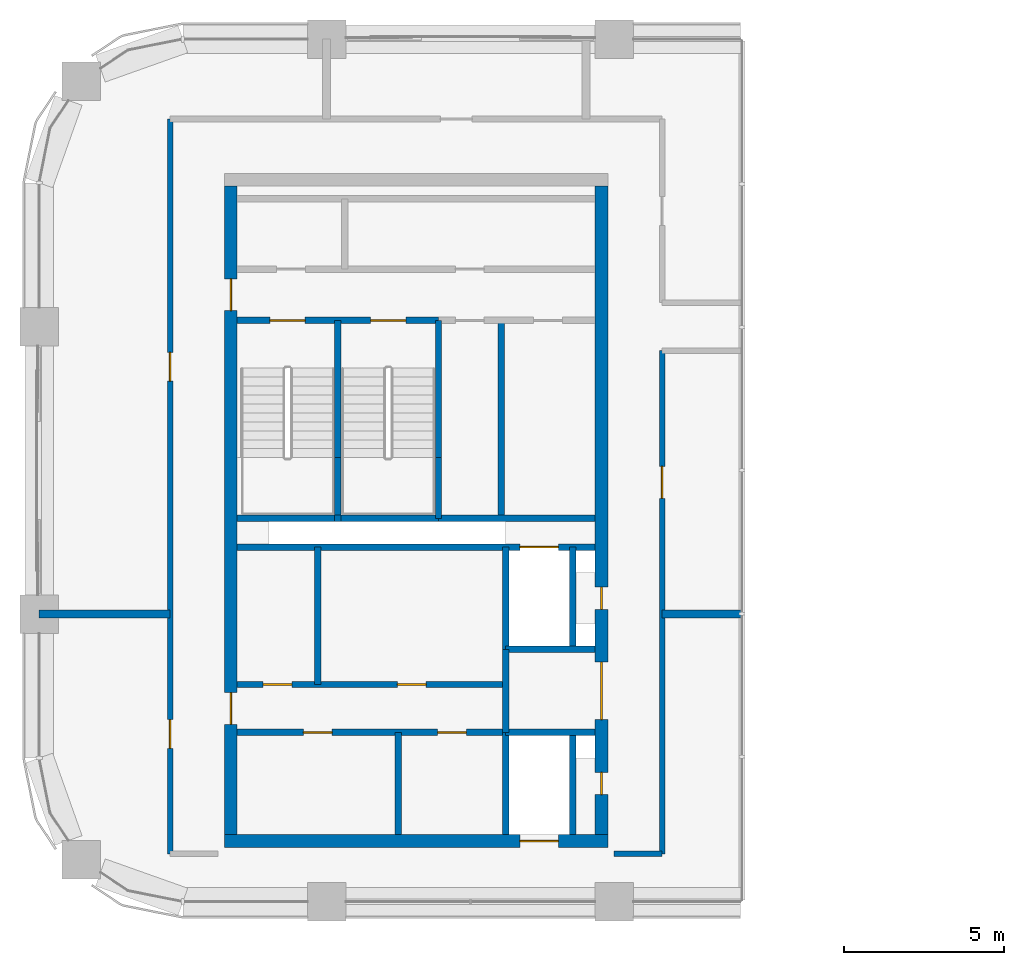
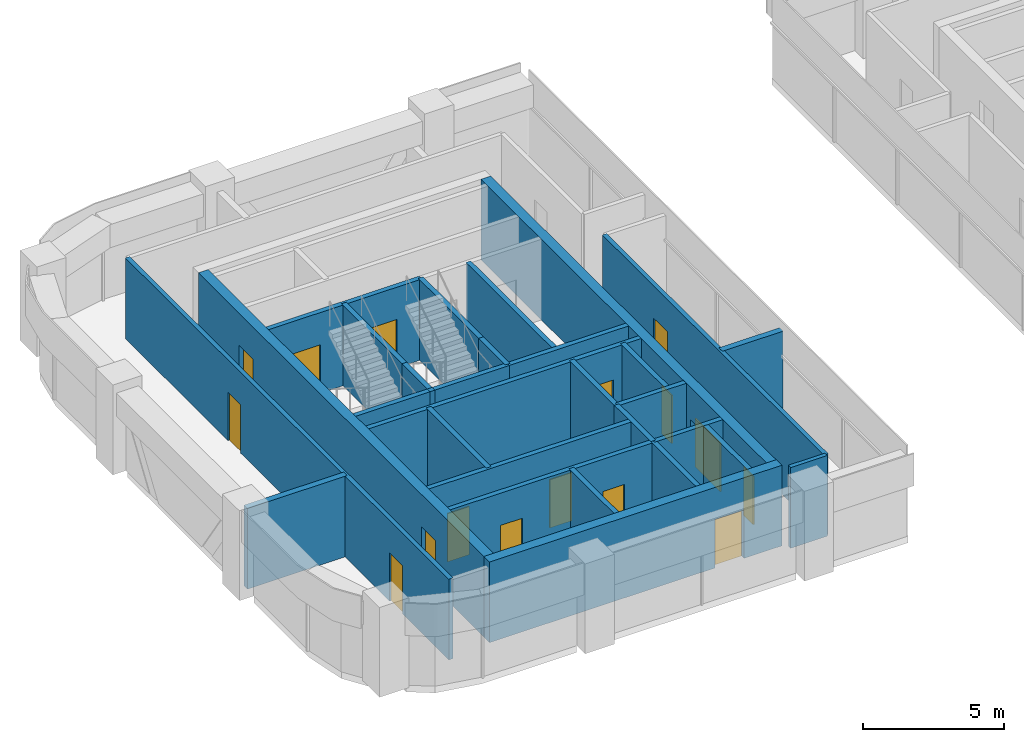
# One storey, part 6 of 11: 30 walls, 16 doors, 16 openings.
"""IFC4 building model written with IfcOpenShell, lengths in metres."""

from ifc_helpers import new_model, si_unit, direction, frame, frame_2d, origin, place, context, subcontext, project, spatial, rectangle, extrude, material, layer, layer_set, type_object, element, fill, save


model = new_model("IFC4")

# Units and contexts
model_context = context("Model", 3, precision=1e-05, world=origin(), true_north=direction((0.0, 1.0)))
body_context = subcontext(model_context, "Body", "Model", "MODEL_VIEW")
ifc_project = project(units=[si_unit("LENGTHUNIT", "METRE"), si_unit("AREAUNIT", "SQUARE_METRE"), si_unit("VOLUMEUNIT", "CUBIC_METRE"), si_unit("PLANEANGLEUNIT", "RADIAN"), si_unit("MASSUNIT", "GRAM", prefix="KILO")], contexts=[model_context])

# Site, building, storey
site_placement = place(None, origin())
site = spatial("IfcSite", under=ifc_project, at=site_placement, CompositionType="ELEMENT")
building_placement = place(site_placement, origin())
building = spatial("IfcBuilding", under=site, at=building_placement, Name="Tessera Arch", CompositionType="ELEMENT")
storey_placement = place(building_placement, frame((0.0, 0.0, 222.800048828125)))
storey = spatial("IfcBuildingStorey", under=building, at=storey_placement, Name="L53", CompositionType="ELEMENT", Elevation=222.800048828125)

# Walls
ifc_material_1 = material(Name="Gypsum board on steel stud", Category="steel")
ifc_layer_1 = layer(ifc_material_1, 0.125)
ifc_layer_set_1 = layer_set([ifc_layer_1], Name="Core partition 125 EI 60")
wall_type_1 = type_object("IfcWallType", Name="Core partition 125 EI 60", PredefinedType="PARTITIONING", material=ifc_layer_set_1)
wall_1_placement = place(storey_placement, frame((8.719970703125, 33.800048828125, 0.0), z_axis=(0.0, 0.0, 1.0), x_axis=(0.0, 1.0, 0.0)))
element("IfcWall", 1, at=wall_1_placement, inside=storey, type_object=wall_type_1, Name="L53 C2 partition wall 1", PredefinedType="PARTITIONING", context=body_context, shape_type="SweptSolid", body=[
    extrude(rectangle(XDim=4.300048828125, YDim=0.199951171875, at=frame_2d((2.14990234375, 0.0))), origin(), (0.0, 0.0, 1.0), 3.5),
])
wall_2_placement = place(storey_placement, frame((11.239990234375, 29.10009765625, 0.0), z_axis=(0.0, 0.0, 1.0), x_axis=(0.0, 1.0, 0.0)))
element("IfcWall", 2, at=wall_2_placement, inside=storey, type_object=wall_type_1, Name="L53 C2 partition wall 5", PredefinedType="PARTITIONING", context=body_context, shape_type="SweptSolid", body=[
    extrude(rectangle(XDim=3.199951171875, YDim=0.199951171875, at=frame_2d((1.60009765625, 0.0))), origin(), (0.0, 0.0, 1.0), 3.5),
])
wall_3_placement = place(storey_placement, frame((14.4599609375, 39.0, 0.0), z_axis=(0.0, 0.0, 1.0), x_axis=(0.0, 1.0, 0.0)))
element("IfcWall", 3, at=wall_3_placement, inside=storey, type_object=wall_type_1, Name="L53 C2 partition wall 8", PredefinedType="PARTITIONING", context=body_context, shape_type="SweptSolid", body=[
    extrude(rectangle(XDim=6.199951171875, YDim=0.199951171875, at=frame_2d((3.10009765625, 0.0))), origin(), (0.0, 0.0, 1.0), 3.5),
])
wall_4_placement = place(storey_placement, frame((14.60009765625, 32.300048828125, 0.0), z_axis=(0.0, 0.0, 1.0), x_axis=(0.0, 1.0, 0.0)))
element("IfcWall", 4, at=wall_4_placement, inside=storey, type_object=wall_type_1, Name="L53 C2 partition wall 9", PredefinedType="PARTITIONING", context=body_context, shape_type="SweptSolid", body=[
    extrude(rectangle(XDim=2.599853515625, YDim=0.199951171875, at=frame_2d((1.2998046875, 0.0))), origin(), (0.0, 0.0, 1.0), 3.5),
])

# Wall, openings, doors
wall_5_placement = place(storey_placement, frame((6.199951171875, 32.300048828125, 0.0), z_axis=(0.0, 0.0, 1.0), x_axis=(1.0, 0.0, 0.0)))
wall_5 = element("IfcWall", 5, at=wall_5_placement, inside=storey, type_object=wall_type_1, Name="L53 C2 partition wall 14", PredefinedType="PARTITIONING", context=body_context, shape_type="SweptSolid", body=[
    extrude(rectangle(XDim=8.400146484375, YDim=0.199951171875, at=frame_2d((4.2001953125, 0.0))), origin(), (0.0, 0.0, 1.0), 3.5),
])
opening_1_placement = place(wall_5_placement, frame((2.070068359375, 0.0, 0.0)))
opening_1 = element("IfcOpeningElement", 6, at=opening_1_placement, cuts=wall_5, Name="Opening L53-C33", PredefinedType="OPENING", context=body_context, shape_type="SweptSolid", body=[
    extrude(rectangle(XDim=0.89990234375, YDim=2.10009765625, at=frame_2d((0.449951171875, 1.050048828125))), frame((0.0, 0.10986328125, 0.0), z_axis=(0.0, -1.0, 0.0), x_axis=(1.0, 0.0, 0.0)), (0.0, 0.0, 1.0), 0.219970703125),
])
opening_2_placement = place(wall_5_placement, frame((6.27001953125, 0.0, 0.0)))
opening_2 = element("IfcOpeningElement", 7, at=opening_2_placement, cuts=wall_5, Name="Opening L53-C34", PredefinedType="OPENING", context=body_context, shape_type="SweptSolid", body=[
    extrude(rectangle(XDim=0.89990234375, YDim=2.10009765625, at=frame_2d((0.449951171875, 1.050048828125))), frame((0.0, 0.10986328125, 0.0), z_axis=(0.0, -1.0, 0.0), x_axis=(1.0, 0.0, 0.0)), (0.0, 0.0, 1.0), 0.219970703125),
])
ifc_material_2 = material(Name="Steel door leaf", Category="steel")
door_type_1 = type_object("IfcDoorType", Name="Store door FD30S 900 x 2100", OperationType="SINGLE_SWING_LEFT", PredefinedType="DOOR", material=ifc_material_2)
door_1_placement = place(opening_1_placement, origin())
door_1 = element("IfcDoor", 8, at=door_1_placement, inside=storey, type_object=door_type_1, Name="L53 C2 door 14 C33 type D09", OperationType="SINGLE_SWING_LEFT", OverallHeight=2.10009765625, OverallWidth=0.89990234375, PredefinedType="DOOR", context=body_context, shape_type="SweptSolid", body=[
    extrude(rectangle(XDim=0.89990234375, YDim=2.10009765625, at=frame_2d((0.449951171875, 1.050048828125))), frame((0.0, 0.02490234375, 0.0), z_axis=(0.0, -1.0, 0.0), x_axis=(1.0, 0.0, 0.0)), (0.0, 0.0, 1.0), 0.050048828125),
])
fill(opening_1, door_1)
door_2_placement = place(opening_2_placement, origin())
door_2 = element("IfcDoor", 9, at=door_2_placement, inside=storey, type_object=door_type_1, Name="L53 C2 door 15 C34 type D09", OperationType="SINGLE_SWING_RIGHT", OverallHeight=2.10009765625, OverallWidth=0.89990234375, PredefinedType="DOOR", context=body_context, shape_type="SweptSolid", body=[
    extrude(rectangle(XDim=0.89990234375, YDim=2.10009765625, at=frame_2d((0.449951171875, 1.050048828125))), frame((0.0, 0.02490234375, 0.0), z_axis=(0.0, -1.0, 0.0), x_axis=(1.0, 0.0, 0.0)), (0.0, 0.0, 1.0), 0.050048828125),
])
fill(opening_2, door_2)

wall_6_placement = place(storey_placement, frame((6.199951171875, 33.800048828125, 0.0), z_axis=(0.0, 0.0, 1.0), x_axis=(1.0, 0.0, 0.0)))
wall_6 = element("IfcWall", 10, at=wall_6_placement, inside=storey, type_object=wall_type_1, Name="L53 C2 partition wall 16", PredefinedType="PARTITIONING", context=body_context, shape_type="SweptSolid", body=[
    extrude(rectangle(XDim=8.400146484375, YDim=0.199951171875, at=frame_2d((4.2001953125, 0.0))), origin(), (0.0, 0.0, 1.0), 3.5),
])
opening_3_placement = place(wall_6_placement, frame((0.81005859375, 0.0, 0.0)))
opening_3 = element("IfcOpeningElement", 11, at=opening_3_placement, cuts=wall_6, Name="Opening L53-C35", PredefinedType="OPENING", context=body_context, shape_type="SweptSolid", body=[
    extrude(rectangle(XDim=0.89990234375, YDim=2.10009765625, at=frame_2d((0.449951171875, 1.050048828125))), frame((0.0, 0.10986328125, 0.0), z_axis=(0.0, -1.0, 0.0), x_axis=(1.0, 0.0, 0.0)), (0.0, 0.0, 1.0), 0.219970703125),
])
opening_4_placement = place(wall_6_placement, frame((5.010009765625, 0.0, 0.0)))
opening_4 = element("IfcOpeningElement", 12, at=opening_4_placement, cuts=wall_6, Name="Opening L53-C36", PredefinedType="OPENING", context=body_context, shape_type="SweptSolid", body=[
    extrude(rectangle(XDim=0.89990234375, YDim=2.10009765625, at=frame_2d((0.449951171875, 1.050048828125))), frame((0.0, 0.10986328125, 0.0), z_axis=(0.0, -1.0, 0.0), x_axis=(1.0, 0.0, 0.0)), (0.0, 0.0, 1.0), 0.219970703125),
])
door_3_placement = place(opening_3_placement, origin())
door_3 = element("IfcDoor", 13, at=door_3_placement, inside=storey, type_object=door_type_1, Name="L53 C2 door 16 C35 type D09", OperationType="SINGLE_SWING_LEFT", OverallHeight=2.10009765625, OverallWidth=0.89990234375, PredefinedType="DOOR", context=body_context, shape_type="SweptSolid", body=[
    extrude(rectangle(XDim=0.89990234375, YDim=2.10009765625, at=frame_2d((0.449951171875, 1.050048828125))), frame((0.0, 0.02490234375, 0.0), z_axis=(0.0, -1.0, 0.0), x_axis=(1.0, 0.0, 0.0)), (0.0, 0.0, 1.0), 0.050048828125),
])
fill(opening_3, door_3)
door_4_placement = place(opening_4_placement, origin())
door_4 = element("IfcDoor", 14, at=door_4_placement, inside=storey, type_object=door_type_1, Name="L53 C2 door 17 C36 type D09", OperationType="SINGLE_SWING_RIGHT", OverallHeight=2.10009765625, OverallWidth=0.89990234375, PredefinedType="DOOR", context=body_context, shape_type="SweptSolid", body=[
    extrude(rectangle(XDim=0.89990234375, YDim=2.10009765625, at=frame_2d((0.449951171875, 1.050048828125))), frame((0.0, 0.02490234375, 0.0), z_axis=(0.0, -1.0, 0.0), x_axis=(1.0, 0.0, 0.0)), (0.0, 0.0, 1.0), 0.050048828125),
])
fill(opening_4, door_4)

# Wall, opening, door
ifc_material_3 = material(Name="Concrete C50/60", Category="concrete")
ifc_layer_2 = layer(ifc_material_3, 0.39990234375)
ifc_layer_set_2 = layer_set([ifc_layer_2], Name="Core shell wall 400 C50-60")
wall_type_2 = type_object("IfcWallType", Name="Core shell wall 400 C50-60", PredefinedType="SHEAR", material=ifc_layer_set_2)
wall_7_placement = place(storey_placement, frame((5.800048828125, 28.89990234375, 0.0), z_axis=(0.0, 0.0, 1.0), x_axis=(1.0, 0.0, 0.0)))
wall_7 = element("IfcWall", 15, at=wall_7_placement, inside=storey, type_object=wall_type_2, Name="L53 C2 core wall S", PredefinedType="SHEAR", context=body_context, shape_type="SweptSolid", body=[
    extrude(rectangle(XDim=12.0, YDim=0.39990234375, at=frame_2d((6.0, 0.0))), origin(), (0.0, 0.0, 1.0), 3.5),
])
opening_5_placement = place(wall_7_placement, frame((9.25, 0.0, 0.0)))
opening_5 = element("IfcOpeningElement", 16, at=opening_5_placement, cuts=wall_7, Name="Opening L53-C20", PredefinedType="OPENING", context=body_context, shape_type="SweptSolid", body=[
    extrude(rectangle(XDim=1.199951171875, YDim=2.10009765625, at=frame_2d((0.60009765625, 1.050048828125))), frame((0.0, 0.2099609375, 0.0), z_axis=(0.0, -1.0, 0.0), x_axis=(1.0, 0.0, 0.0)), (0.0, 0.0, 1.0), 0.419921875),
])
ifc_material_4 = material(Name="Stainless steel AISI 304", Category="steel")
door_type_2 = type_object("IfcDoorType", Name="Sliding landing door 1200 x 2100", OperationType="SLIDING_TO_LEFT", PredefinedType="DOOR", material=ifc_material_4)
door_5_placement = place(opening_5_placement, origin())
door_5 = element("IfcDoor", 17, at=door_5_placement, inside=storey, type_object=door_type_2, Name="L53 HR7 lift landing door C20 type LD", OperationType="SLIDING_TO_LEFT", OverallHeight=2.10009765625, OverallWidth=1.199951171875, PredefinedType="DOOR", context=body_context, shape_type="SweptSolid", body=[
    extrude(rectangle(XDim=1.199951171875, YDim=2.10009765625, at=frame_2d((0.60009765625, 1.050048828125))), frame((0.0, 0.02490234375, 0.0), z_axis=(0.0, -1.0, 0.0), x_axis=(1.0, 0.0, 0.0)), (0.0, 0.0, 1.0), 0.050048828125),
])
fill(opening_5, door_5)

# Wall, openings, doors
wall_8_placement = place(storey_placement, frame((6.0, 29.10009765625, 0.0), z_axis=(0.0, 0.0, 1.0), x_axis=(0.0, 1.0, 0.0)))
wall_8 = element("IfcWall", 18, at=wall_8_placement, inside=storey, type_object=wall_type_2, Name="L53 C2 core wall W", PredefinedType="SHEAR", context=body_context, shape_type="SweptSolid", body=[
    extrude(rectangle(XDim=20.2998046875, YDim=0.39990234375, at=frame_2d((10.14990234375, 0.0))), origin(), (0.0, 0.0, 1.0), 3.5),
])
opening_6_placement = place(wall_8_placement, frame((3.449951171875, 0.0, 0.0)))
opening_6 = element("IfcOpeningElement", 19, at=opening_6_placement, cuts=wall_8, Name="Opening L53-C27", PredefinedType="OPENING", context=body_context, shape_type="SweptSolid", body=[
    extrude(rectangle(XDim=1.0, YDim=2.10009765625, at=frame_2d((0.5, 1.050048828125))), frame((0.0, 0.2099609375, 0.0), z_axis=(0.0, -1.0, 0.0), x_axis=(1.0, 0.0, 0.0)), (0.0, 0.0, 1.0), 0.419921875),
])
opening_7_placement = place(wall_8_placement, frame((16.39990234375, 0.0, 0.0)))
opening_7 = element("IfcOpeningElement", 20, at=opening_7_placement, cuts=wall_8, Name="Opening L53-C28", PredefinedType="OPENING", context=body_context, shape_type="SweptSolid", body=[
    extrude(rectangle(XDim=1.0, YDim=2.10009765625, at=frame_2d((0.5, 1.050048828125))), frame((0.0, 0.2099609375, 0.0), z_axis=(0.0, -1.0, 0.0), x_axis=(1.0, 0.0, 0.0)), (0.0, 0.0, 1.0), 0.419921875),
])
ifc_material_5 = material(Name="Steel door leaf", Category="steel")
door_type_3 = type_object("IfcDoorType", Name="Corridor door FD60 1000 x 2100", OperationType="SINGLE_SWING_LEFT", PredefinedType="DOOR", material=ifc_material_5)
door_6_placement = place(opening_6_placement, origin())
door_6 = element("IfcDoor", 21, at=door_6_placement, inside=storey, type_object=door_type_3, Name="L53 C2 door 8 C27 type D12", OperationType="SINGLE_SWING_LEFT", OverallHeight=2.10009765625, OverallWidth=1.0, PredefinedType="DOOR", context=body_context, shape_type="SweptSolid", body=[
    extrude(rectangle(XDim=1.0, YDim=2.10009765625, at=frame_2d((0.5, 1.050048828125))), frame((0.0, 0.02490234375, 0.0), z_axis=(0.0, -1.0, 0.0), x_axis=(1.0, 0.0, 0.0)), (0.0, 0.0, 1.0), 0.050048828125),
])
fill(opening_6, door_6)
door_7_placement = place(opening_7_placement, origin())
door_7 = element("IfcDoor", 22, at=door_7_placement, inside=storey, type_object=door_type_3, Name="L53 C2 door 9 C28 type D12", OperationType="SINGLE_SWING_RIGHT", OverallHeight=2.10009765625, OverallWidth=1.0, PredefinedType="DOOR", context=body_context, shape_type="SweptSolid", body=[
    extrude(rectangle(XDim=1.0, YDim=2.10009765625, at=frame_2d((0.5, 1.050048828125))), frame((0.0, 0.02490234375, 0.0), z_axis=(0.0, -1.0, 0.0), x_axis=(1.0, 0.0, 0.0)), (0.0, 0.0, 1.0), 0.050048828125),
])
fill(opening_7, door_7)

wall_9_placement = place(storey_placement, frame((17.60009765625, 29.10009765625, 0.0), z_axis=(0.0, 0.0, 1.0), x_axis=(0.0, 1.0, 0.0)))
wall_9 = element("IfcWall", 23, at=wall_9_placement, inside=storey, type_object=wall_type_2, Name="L53 C2 core wall E", PredefinedType="SHEAR", context=body_context, shape_type="SweptSolid", body=[
    extrude(rectangle(XDim=20.2998046875, YDim=0.39990234375, at=frame_2d((10.14990234375, 0.0))), origin(), (0.0, 0.0, 1.0), 3.5),
])
opening_8_placement = place(wall_9_placement, frame((1.25, 0.0, 0.0)))
opening_8 = element("IfcOpeningElement", 24, at=opening_8_placement, cuts=wall_9, Name="Opening L53-C22", PredefinedType="OPENING", context=body_context, shape_type="SweptSolid", body=[
    extrude(rectangle(XDim=0.699951171875, YDim=2.10009765625, at=frame_2d((0.35009765625, 1.050048828125))), frame((0.0, 0.2099609375, 0.0), z_axis=(0.0, -1.0, 0.0), x_axis=(1.0, 0.0, 0.0)), (0.0, 0.0, 1.0), 0.419921875),
])
opening_9_placement = place(wall_9_placement, frame((7.050048828125, 0.0, 0.0)))
opening_9 = element("IfcOpeningElement", 25, at=opening_9_placement, cuts=wall_9, Name="Opening L53-C23", PredefinedType="OPENING", context=body_context, shape_type="SweptSolid", body=[
    extrude(rectangle(XDim=0.699951171875, YDim=2.10009765625, at=frame_2d((0.35009765625, 1.050048828125))), frame((0.0, 0.2099609375, 0.0), z_axis=(0.0, -1.0, 0.0), x_axis=(1.0, 0.0, 0.0)), (0.0, 0.0, 1.0), 0.419921875),
])
opening_10_placement = place(wall_9_placement, frame((3.60009765625, 0.0, 0.0)))
opening_10 = element("IfcOpeningElement", 26, at=opening_10_placement, cuts=wall_9, Name="Opening L53-C26", PredefinedType="OPENING", context=body_context, shape_type="SweptSolid", body=[
    extrude(rectangle(XDim=1.800048828125, YDim=2.10009765625, at=frame_2d((0.89990234375, 1.050048828125))), frame((0.0, 0.2099609375, 0.0), z_axis=(0.0, -1.0, 0.0), x_axis=(1.0, 0.0, 0.0)), (0.0, 0.0, 1.0), 0.419921875),
])
ifc_material_6 = material(Name="Glazed steel door leaf", Category="steel")
door_type_4 = type_object("IfcDoorType", Name="Lobby double door FD30S 1800 x 2100", OperationType="DOUBLE_DOOR_SINGLE_SWING", PredefinedType="DOOR", material=ifc_material_6)
door_8_placement = place(opening_10_placement, origin())
door_8 = element("IfcDoor", 27, at=door_8_placement, inside=storey, type_object=door_type_4, Name="L53 C2 door 7 C26 type D06", OperationType="DOUBLE_DOOR_SINGLE_SWING", OverallHeight=2.10009765625, OverallWidth=1.800048828125, PredefinedType="DOOR", context=body_context, shape_type="SweptSolid", body=[
    extrude(rectangle(XDim=1.800048828125, YDim=2.10009765625, at=frame_2d((0.89990234375, 1.050048828125))), frame((0.0, 0.02490234375, 0.0), z_axis=(0.0, -1.0, 0.0), x_axis=(1.0, 0.0, 0.0)), (0.0, 0.0, 1.0), 0.050048828125),
])
fill(opening_10, door_8)
ifc_material_7 = material(Name="Steel door leaf", Category="steel")
door_type_5 = type_object("IfcDoorType", Name="Service shaft door FD60 700 x 2100", OperationType="SINGLE_SWING_LEFT", PredefinedType="DOOR", material=ifc_material_7)
door_9_placement = place(opening_8_placement, origin())
door_9 = element("IfcDoor", 28, at=door_9_placement, inside=storey, type_object=door_type_5, Name="L53 C2 door 3 C22 type D07", OperationType="SINGLE_SWING_LEFT", OverallHeight=2.10009765625, OverallWidth=0.699951171875, PredefinedType="DOOR", context=body_context, shape_type="SweptSolid", body=[
    extrude(rectangle(XDim=0.699951171875, YDim=2.10009765625, at=frame_2d((0.35009765625, 1.050048828125))), frame((0.0, 0.02490234375, 0.0), z_axis=(0.0, -1.0, 0.0), x_axis=(1.0, 0.0, 0.0)), (0.0, 0.0, 1.0), 0.050048828125),
])
fill(opening_8, door_9)
door_10_placement = place(opening_9_placement, origin())
door_10 = element("IfcDoor", 29, at=door_10_placement, inside=storey, type_object=door_type_5, Name="L53 C2 door 4 C23 type D07", OperationType="SINGLE_SWING_LEFT", OverallHeight=2.10009765625, OverallWidth=0.699951171875, PredefinedType="DOOR", context=body_context, shape_type="SweptSolid", body=[
    extrude(rectangle(XDim=0.699951171875, YDim=2.10009765625, at=frame_2d((0.35009765625, 1.050048828125))), frame((0.0, 0.02490234375, 0.0), z_axis=(0.0, -1.0, 0.0), x_axis=(1.0, 0.0, 0.0)), (0.0, 0.0, 1.0), 0.050048828125),
])
fill(opening_9, door_10)

# Wall
ifc_material_8 = material(Name="Gypsum board on deep steel stud with mineral wool", Category="steel")
ifc_layer_3 = layer(ifc_material_8, 0.175048828125)
ifc_layer_set_3 = layer_set([ifc_layer_3], Name="Corridor wall 175 EI 60")
wall_type_3 = type_object("IfcWallType", Name="Corridor wall 175 EI 60", PredefinedType="PARTITIONING", material=ifc_layer_set_3)
wall_10_placement = place(storey_placement, frame((18.0, 28.5, 0.0), z_axis=(0.0, 0.0, 1.0), x_axis=(1.0, 0.0, 0.0)))
element("IfcWall", 30, at=wall_10_placement, inside=storey, type_object=wall_type_3, Name="L53 partition 2", PredefinedType="PARTITIONING", context=body_context, shape_type="SweptSolid", body=[
    extrude(rectangle(XDim=1.5, YDim=0.175048828125, at=frame_2d((0.75, 0.0))), origin(), (0.0, 0.0, 1.0), 3.5),
])

# Wall, openings, doors
wall_11_placement = place(storey_placement, frame((4.10009765625, 28.5, 0.0), z_axis=(0.0, 0.0, 1.0), x_axis=(0.0, 1.0, 0.0)))
wall_11 = element("IfcWall", 31, at=wall_11_placement, inside=storey, type_object=wall_type_3, Name="L53 partition 11", PredefinedType="PARTITIONING", context=body_context, shape_type="SweptSolid", body=[
    extrude(rectangle(XDim=23.0, YDim=0.175048828125, at=frame_2d((11.5, 0.0))), origin(), (0.0, 0.0, 1.0), 3.5),
])
opening_11_placement = place(wall_11_placement, frame((3.300048828125, 0.0, 0.0)))
opening_11 = element("IfcOpeningElement", 32, at=opening_11_placement, cuts=wall_11, Name="Opening L53-D001", PredefinedType="OPENING", context=body_context, shape_type="SweptSolid", body=[
    extrude(rectangle(XDim=0.89990234375, YDim=2.10009765625, at=frame_2d((0.449951171875, 1.050048828125))), frame((0.0, 0.097412109375, 0.0), z_axis=(0.0, -1.0, 0.0), x_axis=(1.0, 0.0, 0.0)), (0.0, 0.0, 1.0), 0.195068359375),
])
opening_12_placement = place(wall_11_placement, frame((14.800048828125, 0.0, 0.0)))
opening_12 = element("IfcOpeningElement", 33, at=opening_12_placement, cuts=wall_11, Name="Opening L53-D005", PredefinedType="OPENING", context=body_context, shape_type="SweptSolid", body=[
    extrude(rectangle(XDim=0.89990234375, YDim=2.10009765625, at=frame_2d((0.449951171875, 1.050048828125))), frame((0.0, 0.097412109375, 0.0), z_axis=(0.0, -1.0, 0.0), x_axis=(1.0, 0.0, 0.0)), (0.0, 0.0, 1.0), 0.195068359375),
])
ifc_material_9 = material(Name="Timber door leaf", Category="wood")
door_type_6 = type_object("IfcDoorType", Name="Room door 900 x 2100", OperationType="SINGLE_SWING_LEFT", PredefinedType="DOOR", material=ifc_material_9)
door_11_placement = place(opening_11_placement, origin())
door_11 = element("IfcDoor", 34, at=door_11_placement, inside=storey, type_object=door_type_6, Name="L53 door D001 type D01", OperationType="SINGLE_SWING_LEFT", OverallHeight=2.10009765625, OverallWidth=0.89990234375, PredefinedType="DOOR", context=body_context, shape_type="SweptSolid", body=[
    extrude(rectangle(XDim=0.89990234375, YDim=2.10009765625, at=frame_2d((0.449951171875, 1.050048828125))), frame((0.0, 0.02490234375, 0.0), z_axis=(0.0, -1.0, 0.0), x_axis=(1.0, 0.0, 0.0)), (0.0, 0.0, 1.0), 0.050048828125),
])
fill(opening_11, door_11)
door_12_placement = place(opening_12_placement, origin())
door_12 = element("IfcDoor", 35, at=door_12_placement, inside=storey, type_object=door_type_6, Name="L53 door D005 type D01", OperationType="SINGLE_SWING_LEFT", OverallHeight=2.10009765625, OverallWidth=0.89990234375, PredefinedType="DOOR", context=body_context, shape_type="SweptSolid", body=[
    extrude(rectangle(XDim=0.89990234375, YDim=2.10009765625, at=frame_2d((0.449951171875, 1.050048828125))), frame((0.0, 0.02490234375, 0.0), z_axis=(0.0, -1.0, 0.0), x_axis=(1.0, 0.0, 0.0)), (0.0, 0.0, 1.0), 0.050048828125),
])
fill(opening_12, door_12)

# Wall, opening, door
wall_12_placement = place(storey_placement, frame((19.5, 28.5, 0.0), z_axis=(0.0, 0.0, 1.0), x_axis=(0.0, 1.0, 0.0)))
wall_12 = element("IfcWall", 36, at=wall_12_placement, inside=storey, type_object=wall_type_3, Name="L53 partition 12", PredefinedType="PARTITIONING", context=body_context, shape_type="SweptSolid", body=[
    extrude(rectangle(XDim=15.75, YDim=0.175048828125, at=frame_2d((7.875, 0.0))), origin(), (0.0, 0.0, 1.0), 3.5),
])
opening_13_placement = place(wall_12_placement, frame((11.125, 0.0, 0.0)))
opening_13 = element("IfcOpeningElement", 37, at=opening_13_placement, cuts=wall_12, Name="Opening L53-D003", PredefinedType="OPENING", context=body_context, shape_type="SweptSolid", body=[
    extrude(rectangle(XDim=1.0, YDim=2.10009765625, at=frame_2d((0.5, 1.050048828125))), frame((0.0, 0.097412109375, 0.0), z_axis=(0.0, -1.0, 0.0), x_axis=(1.0, 0.0, 0.0)), (0.0, 0.0, 1.0), 0.195068359375),
])
ifc_material_10 = material(Name="Fire-rated door leaf")
door_type_7 = type_object("IfcDoorType", Name="Entrance door FD30S 1000 x 2100", OperationType="SINGLE_SWING_LEFT", PredefinedType="DOOR", material=ifc_material_10)
door_13_placement = place(opening_13_placement, origin())
door_13 = element("IfcDoor", 38, at=door_13_placement, inside=storey, type_object=door_type_7, Name="L53 door D003 type D03", OperationType="SINGLE_SWING_RIGHT", OverallHeight=2.10009765625, OverallWidth=1.0, PredefinedType="DOOR", context=body_context, shape_type="SweptSolid", body=[
    extrude(rectangle(XDim=1.0, YDim=2.10009765625, at=frame_2d((0.5, 1.050048828125))), frame((0.0, 0.02490234375, 0.0), z_axis=(0.0, -1.0, 0.0), x_axis=(1.0, 0.0, 0.0)), (0.0, 0.0, 1.0), 0.050048828125),
])
fill(opening_13, door_13)

# Walls
ifc_material_11 = material(Name="Double gypsum board on twin steel stud with acoustic mineral wool", Category="steel")
ifc_layer_4 = layer(ifc_material_11, 0.25)
ifc_layer_set_4 = layer_set([ifc_layer_4], Name="Party wall 250 EI 60")
wall_type_4 = type_object("IfcWallType", Name="Party wall 250 EI 60", PredefinedType="PARTITIONING", material=ifc_layer_set_4)
wall_13_placement = place(storey_placement, frame((0.0, 36.0, 0.0), z_axis=(0.0, 0.0, 1.0), x_axis=(1.0, 0.0, 0.0)))
element("IfcWall", 39, at=wall_13_placement, inside=storey, type_object=wall_type_4, Name="L53 partition 17", PredefinedType="PARTITIONING", context=body_context, shape_type="SweptSolid", body=[
    extrude(rectangle(XDim=4.10009765625, YDim=0.25, at=frame_2d((2.050048828125, 0.0))), origin(), (0.0, 0.0, 1.0), 3.5),
])
wall_14_placement = place(storey_placement, frame((19.5, 36.0, 0.0), z_axis=(0.0, 0.0, 1.0), x_axis=(1.0, 0.0, 0.0)))
element("IfcWall", 40, at=wall_14_placement, inside=storey, type_object=wall_type_4, Name="L53 partition 18", PredefinedType="PARTITIONING", context=body_context, shape_type="SweptSolid", body=[
    extrude(rectangle(XDim=2.5, YDim=0.25, at=frame_2d((1.25, 0.0))), origin(), (0.0, 0.0, 1.0), 3.5),
])
ifc_material_12 = material(Name="Concrete C40/50", Category="concrete")
ifc_layer_5 = layer(ifc_material_12, 0.199951171875)
ifc_layer_set_5 = layer_set([ifc_layer_5], Name="Shaft wall 200 EI 120")
wall_type_5 = type_object("IfcWallType", Name="Shaft wall 200 EI 120", PredefinedType="SOLIDWALL", material=ifc_layer_set_5)
wall_15_placement = place(storey_placement, frame((14.60009765625, 29.10009765625, 0.0), z_axis=(0.0, 0.0, 1.0), x_axis=(0.0, 1.0, 0.0)))
element("IfcWall", 41, at=wall_15_placement, inside=storey, type_object=wall_type_5, Name="L53 C2 shaft wall 10", PredefinedType="SOLIDWALL", context=body_context, shape_type="SweptSolid", body=[
    extrude(rectangle(XDim=3.199951171875, YDim=0.199951171875, at=frame_2d((1.60009765625, 0.0))), origin(), (0.0, 0.0, 1.0), 3.5),
])
wall_16_placement = place(storey_placement, frame((14.60009765625, 34.89990234375, 0.0), z_axis=(0.0, 0.0, 1.0), x_axis=(0.0, 1.0, 0.0)))
element("IfcWall", 42, at=wall_16_placement, inside=storey, type_object=wall_type_5, Name="L53 C2 shaft wall 11", PredefinedType="SOLIDWALL", context=body_context, shape_type="SweptSolid", body=[
    extrude(rectangle(XDim=3.2001953125, YDim=0.199951171875, at=frame_2d((1.60009765625, 0.0))), origin(), (0.0, 0.0, 1.0), 3.5),
])
wall_17_placement = place(storey_placement, frame((16.699951171875, 29.10009765625, 0.0), z_axis=(0.0, 0.0, 1.0), x_axis=(0.0, 1.0, 0.0)))
element("IfcWall", 43, at=wall_17_placement, inside=storey, type_object=wall_type_5, Name="L53 C2 shaft wall 12", PredefinedType="SOLIDWALL", context=body_context, shape_type="SweptSolid", body=[
    extrude(rectangle(XDim=3.199951171875, YDim=0.199951171875, at=frame_2d((1.60009765625, 0.0))), origin(), (0.0, 0.0, 1.0), 3.5),
])
wall_18_placement = place(storey_placement, frame((16.699951171875, 34.89990234375, 0.0), z_axis=(0.0, 0.0, 1.0), x_axis=(0.0, 1.0, 0.0)))
element("IfcWall", 44, at=wall_18_placement, inside=storey, type_object=wall_type_5, Name="L53 C2 shaft wall 13", PredefinedType="SOLIDWALL", context=body_context, shape_type="SweptSolid", body=[
    extrude(rectangle(XDim=3.2001953125, YDim=0.199951171875, at=frame_2d((1.60009765625, 0.0))), origin(), (0.0, 0.0, 1.0), 3.5),
])
for number, where, z_axis, x_axis, name in (
    (45, (14.60009765625, 32.300048828125, 0.0), (0.0, 0.0, 1.0), (1.0, 0.0, 0.0), "L53 C2 shaft wall 15"),
    (46, (14.60009765625, 34.89990234375, 0.0), (0.0, 0.0, 1.0), (1.0, 0.0, 0.0), "L53 C2 shaft wall 17"),
):
    element("IfcWall", number, at=place(storey_placement, frame(where, z_axis=z_axis, x_axis=x_axis)), inside=storey, type_object=wall_type_5, Name=name, PredefinedType="SOLIDWALL", context=body_context, shape_type="SweptSolid", body=[
        extrude(rectangle(XDim=2.7998046875, YDim=0.199951171875, at=frame_2d((1.39990234375, 0.0))), origin(), (0.0, 0.0, 1.0), 3.5),
    ])

# Wall, opening, door
wall_19_placement = place(storey_placement, frame((6.199951171875, 38.10009765625, 0.0), z_axis=(0.0, 0.0, 1.0), x_axis=(1.0, 0.0, 0.0)))
wall_19 = element("IfcWall", 47, at=wall_19_placement, inside=storey, type_object=wall_type_5, Name="L53 C2 shaft wall 18", PredefinedType="SOLIDWALL", context=body_context, shape_type="SweptSolid", body=[
    extrude(rectangle(XDim=11.199951171875, YDim=0.199951171875, at=frame_2d((5.60009765625, 0.0))), origin(), (0.0, 0.0, 1.0), 3.5),
])
opening_14_placement = place(wall_19_placement, frame((8.85009765625, 0.0, 0.0)))
opening_14 = element("IfcOpeningElement", 48, at=opening_14_placement, cuts=wall_19, Name="Opening L53-C21", PredefinedType="OPENING", context=body_context, shape_type="SweptSolid", body=[
    extrude(rectangle(XDim=1.199951171875, YDim=2.10009765625, at=frame_2d((0.60009765625, 1.050048828125))), frame((0.0, 0.10986328125, 0.0), z_axis=(0.0, -1.0, 0.0), x_axis=(1.0, 0.0, 0.0)), (0.0, 0.0, 1.0), 0.219970703125),
])
door_14_placement = place(opening_14_placement, origin())
door_14 = element("IfcDoor", 49, at=door_14_placement, inside=storey, type_object=door_type_2, Name="L53 HR8 lift landing door C21 type LD", OperationType="SLIDING_TO_LEFT", OverallHeight=2.10009765625, OverallWidth=1.199951171875, PredefinedType="DOOR", context=body_context, shape_type="SweptSolid", body=[
    extrude(rectangle(XDim=1.199951171875, YDim=2.10009765625, at=frame_2d((0.60009765625, 1.050048828125))), frame((0.0, 0.02490234375, 0.0), z_axis=(0.0, -1.0, 0.0), x_axis=(1.0, 0.0, 0.0)), (0.0, 0.0, 1.0), 0.050048828125),
])
fill(opening_14, door_14)

# Walls
wall_20_placement = place(storey_placement, frame((12.5, 39.0, 0.0), z_axis=(0.0, 0.0, 1.0), x_axis=(1.0, 0.0, 0.0)))
element("IfcWall", 50, at=wall_20_placement, inside=storey, type_object=wall_type_5, Name="L53 C2 shaft wall 19", PredefinedType="SOLIDWALL", context=body_context, shape_type="SweptSolid", body=[
    extrude(rectangle(XDim=4.89990234375, YDim=0.199951171875, at=frame_2d((2.449951171875, 0.0))), origin(), (0.0, 0.0, 1.0), 3.5),
])
ifc_material_13 = material(Name="Concrete C40/50", Category="concrete")
ifc_layer_6 = layer(ifc_material_13, 0.199951171875)
ifc_layer_set_6 = layer_set([ifc_layer_6], Name="Stair well wall 200 REI 180")
wall_type_6 = type_object("IfcWallType", Name="Stair well wall 200 REI 180", PredefinedType="SOLIDWALL", material=ifc_layer_set_6)
wall_21_placement = place(storey_placement, frame((9.35009765625, 39.0, 0.0), z_axis=(0.0, 0.0, 1.0), x_axis=(0.0, 1.0, 0.0)))
element("IfcWall", 51, at=wall_21_placement, inside=storey, type_object=wall_type_6, Name="L53 C2 shaft wall 2", PredefinedType="SOLIDWALL", context=body_context, shape_type="SweptSolid", body=[
    extrude(rectangle(XDim=1.89990234375, YDim=0.199951171875, at=frame_2d((0.949951171875, 0.0))), origin(), (0.0, 0.0, 1.0), 3.5),
])
wall_22_placement = place(storey_placement, frame((9.35009765625, 40.89990234375, 0.0), z_axis=(0.0, 0.0, 1.0), x_axis=(0.0, 1.0, 0.0)))
element("IfcWall", 52, at=wall_22_placement, inside=storey, type_object=wall_type_6, Name="L53 C2 shaft wall 3", PredefinedType="SOLIDWALL", context=body_context, shape_type="SweptSolid", body=[
    extrude(rectangle(XDim=4.300048828125, YDim=0.199951171875, at=frame_2d((2.14990234375, 0.0))), origin(), (0.0, 0.0, 1.0), 3.5),
])
wall_23_placement = place(storey_placement, frame((12.5, 39.0, 0.0), z_axis=(0.0, 0.0, 1.0), x_axis=(0.0, 1.0, 0.0)))
element("IfcWall", 53, at=wall_23_placement, inside=storey, type_object=wall_type_6, Name="L53 C2 shaft wall 6", PredefinedType="SOLIDWALL", context=body_context, shape_type="SweptSolid", body=[
    extrude(rectangle(XDim=1.89990234375, YDim=0.199951171875, at=frame_2d((0.949951171875, 0.0))), origin(), (0.0, 0.0, 1.0), 3.5),
])
wall_24_placement = place(storey_placement, frame((12.5, 40.89990234375, 0.0), z_axis=(0.0, 0.0, 1.0), x_axis=(0.0, 1.0, 0.0)))
element("IfcWall", 54, at=wall_24_placement, inside=storey, type_object=wall_type_6, Name="L53 C2 shaft wall 7", PredefinedType="SOLIDWALL", context=body_context, shape_type="SweptSolid", body=[
    extrude(rectangle(XDim=4.300048828125, YDim=0.199951171875, at=frame_2d((2.14990234375, 0.0))), origin(), (0.0, 0.0, 1.0), 3.5),
])
wall_25_placement = place(storey_placement, frame((6.199951171875, 39.0, 0.0), z_axis=(0.0, 0.0, 1.0), x_axis=(1.0, 0.0, 0.0)))
element("IfcWall", 55, at=wall_25_placement, inside=storey, type_object=wall_type_6, Name="L53 C2 shaft wall 20", PredefinedType="SOLIDWALL", context=body_context, shape_type="SweptSolid", body=[
    extrude(rectangle(XDim=3.050048828125, YDim=0.199951171875, at=frame_2d((1.52490234375, 0.0))), origin(), (0.0, 0.0, 1.0), 3.5),
])
wall_26_placement = place(storey_placement, frame((9.25, 39.0, 0.0), z_axis=(0.0, 0.0, 1.0), x_axis=(1.0, 0.0, 0.0)))
element("IfcWall", 56, at=wall_26_placement, inside=storey, type_object=wall_type_6, Name="L53 C2 shaft wall 21", PredefinedType="SOLIDWALL", context=body_context, shape_type="SweptSolid", body=[
    extrude(rectangle(XDim=0.199951171875, YDim=0.199951171875, at=frame_2d((0.10009765625, 0.0))), origin(), (0.0, 0.0, 1.0), 3.5),
])
wall_27_placement = place(storey_placement, frame((9.449951171875, 39.0, 0.0), z_axis=(0.0, 0.0, 1.0), x_axis=(1.0, 0.0, 0.0)))
element("IfcWall", 57, at=wall_27_placement, inside=storey, type_object=wall_type_6, Name="L53 C2 shaft wall 22", PredefinedType="SOLIDWALL", context=body_context, shape_type="SweptSolid", body=[
    extrude(rectangle(XDim=3.050048828125, YDim=0.199951171875, at=frame_2d((1.52490234375, 0.0))), origin(), (0.0, 0.0, 1.0), 3.5),
])

# Wall, openings, doors
wall_28_placement = place(storey_placement, frame((6.199951171875, 45.199951171875, 0.0), z_axis=(0.0, 0.0, 1.0), x_axis=(1.0, 0.0, 0.0)))
wall_28 = element("IfcWall", 58, at=wall_28_placement, inside=storey, type_object=wall_type_6, Name="L53 C2 shaft wall 24", PredefinedType="SOLIDWALL", context=body_context, shape_type="SweptSolid", body=[
    extrude(rectangle(XDim=6.300048828125, YDim=0.199951171875, at=frame_2d((3.14990234375, 0.0))), origin(), (0.0, 0.0, 1.0), 3.5),
])
opening_15_placement = place(wall_28_placement, frame((1.02490234375, 0.0, 0.0)))
opening_15 = element("IfcOpeningElement", 59, at=opening_15_placement, cuts=wall_28, Name="Opening L53-C24", PredefinedType="OPENING", context=body_context, shape_type="SweptSolid", body=[
    extrude(rectangle(XDim=1.10009765625, YDim=2.10009765625, at=frame_2d((0.550048828125, 1.050048828125))), frame((0.0, 0.10986328125, 0.0), z_axis=(0.0, -1.0, 0.0), x_axis=(1.0, 0.0, 0.0)), (0.0, 0.0, 1.0), 0.219970703125),
])
opening_16_placement = place(wall_28_placement, frame((4.175048828125, 0.0, 0.0)))
opening_16 = element("IfcOpeningElement", 60, at=opening_16_placement, cuts=wall_28, Name="Opening L53-C25", PredefinedType="OPENING", context=body_context, shape_type="SweptSolid", body=[
    extrude(rectangle(XDim=1.10009765625, YDim=2.10009765625, at=frame_2d((0.550048828125, 1.050048828125))), frame((0.0, 0.10986328125, 0.0), z_axis=(0.0, -1.0, 0.0), x_axis=(1.0, 0.0, 0.0)), (0.0, 0.0, 1.0), 0.219970703125),
])
ifc_material_14 = material(Name="Steel door leaf", Category="steel")
door_type_8 = type_object("IfcDoorType", Name="Stair door FD60 1100 x 2100", OperationType="SINGLE_SWING_LEFT", PredefinedType="DOOR", material=ifc_material_14)
door_15_placement = place(opening_15_placement, origin())
door_15 = element("IfcDoor", 61, at=door_15_placement, inside=storey, type_object=door_type_8, Name="L53 C2 door 5 C24 type D05", OperationType="SINGLE_SWING_LEFT", OverallHeight=2.10009765625, OverallWidth=1.10009765625, PredefinedType="DOOR", context=body_context, shape_type="SweptSolid", body=[
    extrude(rectangle(XDim=1.10009765625, YDim=2.10009765625, at=frame_2d((0.550048828125, 1.050048828125))), frame((0.0, 0.02490234375, 0.0), z_axis=(0.0, -1.0, 0.0), x_axis=(1.0, 0.0, 0.0)), (0.0, 0.0, 1.0), 0.050048828125),
])
fill(opening_15, door_15)
door_16_placement = place(opening_16_placement, origin())
door_16 = element("IfcDoor", 62, at=door_16_placement, inside=storey, type_object=door_type_8, Name="L53 C2 door 6 C25 type D05", OperationType="SINGLE_SWING_RIGHT", OverallHeight=2.10009765625, OverallWidth=1.10009765625, PredefinedType="DOOR", context=body_context, shape_type="SweptSolid", body=[
    extrude(rectangle(XDim=1.10009765625, YDim=2.10009765625, at=frame_2d((0.550048828125, 1.050048828125))), frame((0.0, 0.02490234375, 0.0), z_axis=(0.0, -1.0, 0.0), x_axis=(1.0, 0.0, 0.0)), (0.0, 0.0, 1.0), 0.050048828125),
])
fill(opening_16, door_16)

save(model, "model.ifc")
